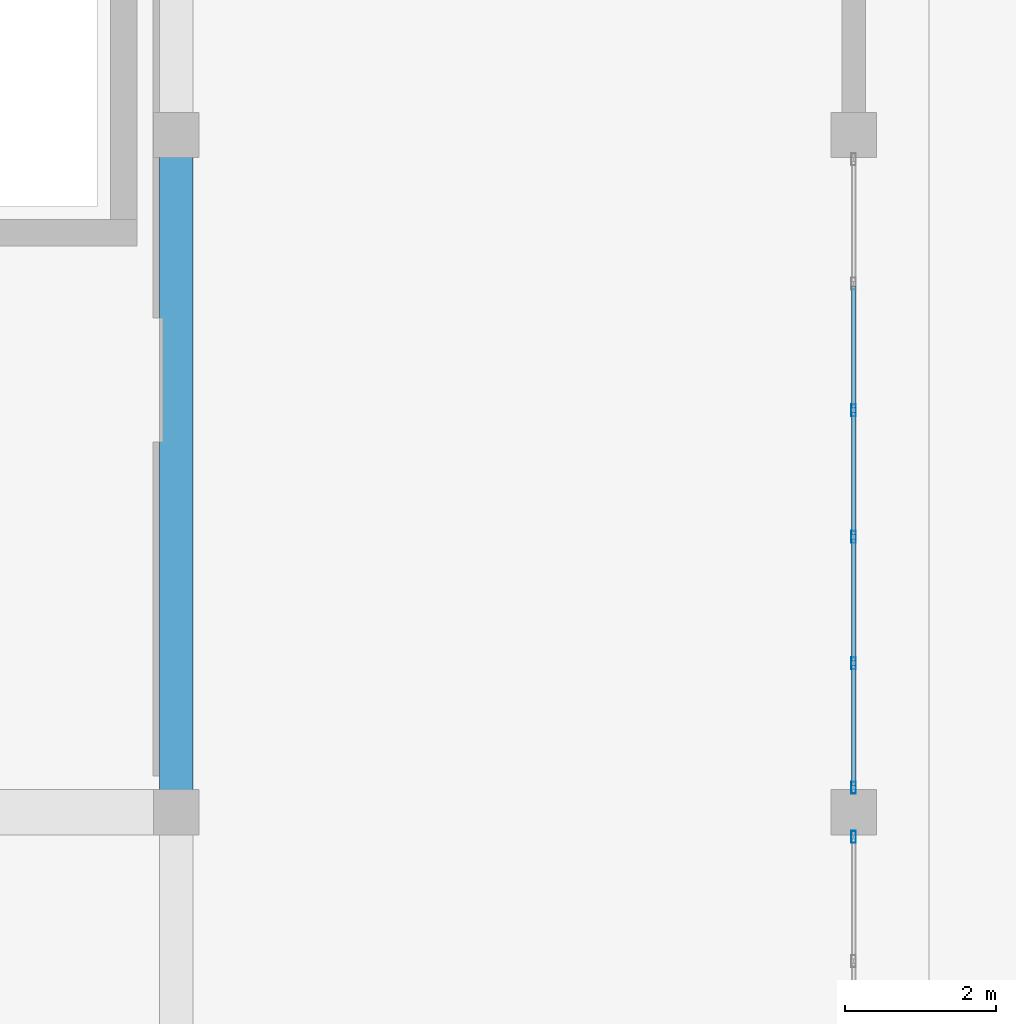
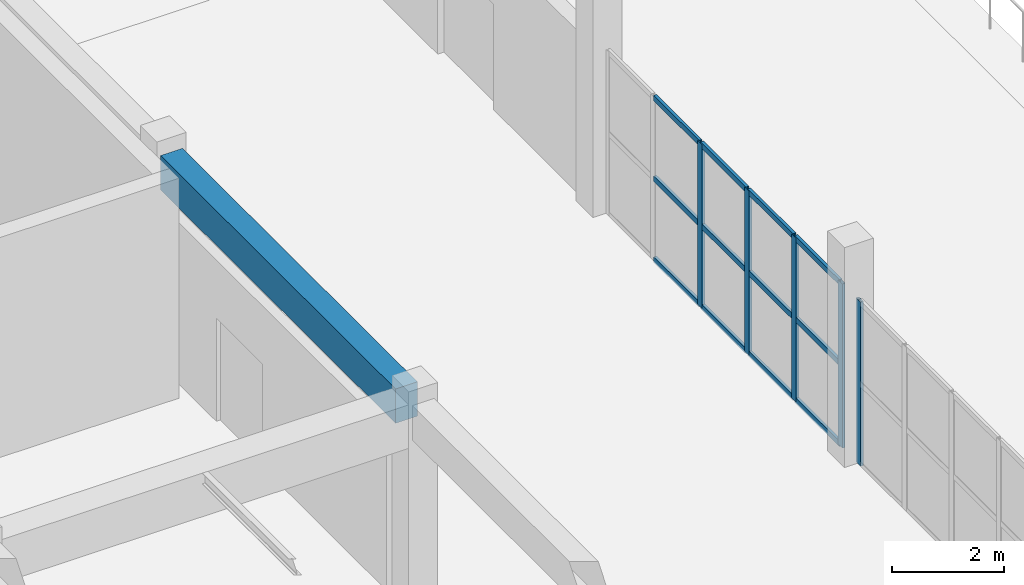
# One storey, part 24 of 89: 17 members, 1 beam, 2 elements without a shape of their own.
"""IFC4 building model written with IfcOpenShell, lengths in metres."""

from ifc_helpers import new_model, si_unit, direction, frame, origin, origin_2d, place, context, subcontext, project, spatial, rectangle, hollow_rectangle, extrude, material, layer, layer_set, material_profile, profile_set, type_object, element, aggregate, save


model = new_model("IFC4")

# Units and contexts
model_context = context("Model", 3, precision=1e-05, world=origin(), true_north=direction((0.0, 1.0)))
body_context = subcontext(model_context, "Body", "Model", "MODEL_VIEW")
ifc_project = project(units=[si_unit("LENGTHUNIT", "METRE"), si_unit("AREAUNIT", "SQUARE_METRE"), si_unit("VOLUMEUNIT", "CUBIC_METRE"), si_unit("PLANEANGLEUNIT", "RADIAN"), si_unit("MASSUNIT", "GRAM", prefix="KILO")], contexts=[model_context])

# Site, building, storey
site_placement = place(None, origin())
site = spatial("IfcSite", under=ifc_project, at=site_placement, CompositionType="ELEMENT")
building_placement = place(site_placement, origin())
building = spatial("IfcBuilding", under=site, at=building_placement, Name="Dornveld Trade and Exhibition Forum", CompositionType="ELEMENT")
storey_placement = place(building_placement, frame((0.0, 0.0, 12.0)))
storey = spatial("IfcBuildingStorey", under=building, at=storey_placement, Name="L02", CompositionType="ELEMENT", Elevation=12.0)

# Beam
ifc_material_1 = material(Name="Precast concrete C50/60", Category="concrete")
ifc_material_profile_1 = material_profile(ifc_material_1, rectangle(XDim=0.449951171875, YDim=0.75, at=origin_2d()), Name="PC-BM 450x750")
ifc_profile_set_1 = profile_set([ifc_material_profile_1], Name="Precast concrete C50/60")
beam_type = type_object("IfcBeamType", Name="BM-PC-450x750", PredefinedType="BEAM", material=ifc_profile_set_1)
beam_placement = place(storey_placement, frame((216.0, 9.2958984375, 4.10302734375), z_axis=(0.0, 1.0, 0.0), x_axis=(-1.0, 0.0, 0.0)))
element("IfcBeam", 1, at=beam_placement, inside=storey, type_object=beam_type, Name="L02 Y-girder 1571", PredefinedType="BEAM", context=body_context, shape_type="SweptSolid", body=[
    extrude(rectangle(XDim=0.449951171875, YDim=0.75, at=origin_2d()), origin(), (0.0, 0.0, 1.0), 8.408203125),
])

# Curtain wall, member
ifc_material_2 = material(Name="Dark-bronze anodised aluminium and low-E glass", Category="aluminium")
ifc_layer_1 = layer(ifc_material_2, 0.154052734375)
ifc_layer_set_1 = layer_set([ifc_layer_1], Name="Dark-bronze anodised aluminium and low-E glass")
curtain_wall_type_1 = type_object("IfcCurtainWallType", Name="CW-SYS-04", PredefinedType="USERDEFINED", material=ifc_layer_set_1)
curtain_wall_1_placement = place(storey_placement, origin())
curtain_wall_1 = element("IfcCurtainWall", 2, at=curtain_wall_1_placement, inside=storey, type_object=curtain_wall_type_1, Name="L02 unitised curtain wall 76", ObjectType="UNITISED_CURTAIN_WALL", PredefinedType="USERDEFINED")
ifc_material_3 = material(Name="Dark-bronze anodised aluminium", Category="aluminium")
ifc_material_profile_2 = material_profile(ifc_material_3, hollow_rectangle(XDim=0.06005859375, YDim=0.159912109375, WallThickness=0.00390625, at=origin_2d()), Name="RHS 160x60x4")
ifc_profile_set_2 = profile_set([ifc_material_profile_2], Name="Dark-bronze anodised aluminium")
member_type_1 = type_object("IfcMemberType", Name="CW-MUL-160", PredefinedType="MULLION", material=ifc_profile_set_2)
member_1_placement = place(storey_placement, frame((225.0, 8.674072265625, -0.00390625), z_axis=(0.0, 0.0, 1.0), x_axis=(-1.0, 0.0, 0.0)))
member_1 = element("IfcMember", 3, at=member_1_placement, type_object=member_type_1, Name="CW-04 mullion 6", PredefinedType="MULLION", context=body_context, shape_type="SweptSolid", body=[
    extrude(hollow_rectangle(XDim=0.06005859375, YDim=0.159912109375, WallThickness=0.00390625, at=origin_2d()), origin(), (0.0, 0.0, 1.0), 3.583984375),
])
aggregate(curtain_wall_1, [member_1])

# Curtain wall, members
ifc_material_4 = material(Name="Dark-bronze anodised aluminium and low-E glass", Category="aluminium")
ifc_layer_2 = layer(ifc_material_4, 0.156982421875)
ifc_layer_set_2 = layer_set([ifc_layer_2], Name="Dark-bronze anodised aluminium and low-E glass")
curtain_wall_type_2 = type_object("IfcCurtainWallType", Name="CW-SYS-05", PredefinedType="USERDEFINED", material=ifc_layer_set_2)
curtain_wall_2_placement = place(storey_placement, origin())
curtain_wall_2 = element("IfcCurtainWall", 4, at=curtain_wall_2_placement, inside=storey, type_object=curtain_wall_type_2, Name="L02 unitised curtain wall 77", ObjectType="UNITISED_CURTAIN_WALL", PredefinedType="USERDEFINED")
member_2_placement = place(storey_placement, frame((225.0, 9.325927734375, -0.00390625), z_axis=(0.0, 0.0, 1.0), x_axis=(-1.0, 0.0, 0.0)))
member_2 = element("IfcMember", 5, at=member_2_placement, type_object=member_type_1, Name="CW-05 mullion 1", PredefinedType="MULLION", context=body_context, shape_type="SweptSolid", body=[
    extrude(hollow_rectangle(XDim=0.06005859375, YDim=0.159912109375, WallThickness=0.00390625, at=origin_2d()), origin(), (0.0, 0.0, 1.0), 3.583984375),
])
member_3_placement = place(storey_placement, frame((225.0, 10.9775390625, -0.00390625), z_axis=(0.0, 0.0, 1.0), x_axis=(-1.0, 0.0, 0.0)))
member_3 = element("IfcMember", 6, at=member_3_placement, type_object=member_type_1, Name="CW-05 mullion 2", PredefinedType="MULLION", context=body_context, shape_type="SweptSolid", body=[
    extrude(hollow_rectangle(XDim=0.06005859375, YDim=0.159912109375, WallThickness=0.00390625, at=origin_2d()), origin(), (0.0, 0.0, 1.0), 3.583984375),
])
member_4_placement = place(storey_placement, frame((225.0, 12.6591796875, -0.00390625), z_axis=(0.0, 0.0, 1.0), x_axis=(-1.0, 0.0, 0.0)))
member_4 = element("IfcMember", 7, at=member_4_placement, type_object=member_type_1, Name="CW-05 mullion 3", PredefinedType="MULLION", context=body_context, shape_type="SweptSolid", body=[
    extrude(hollow_rectangle(XDim=0.06005859375, YDim=0.159912109375, WallThickness=0.00390625, at=origin_2d()), origin(), (0.0, 0.0, 1.0), 3.583984375),
])
member_5_placement = place(storey_placement, frame((225.0, 14.3408203125, -0.00390625), z_axis=(0.0, 0.0, 1.0), x_axis=(-1.0, 0.0, 0.0)))
member_5 = element("IfcMember", 8, at=member_5_placement, type_object=member_type_1, Name="CW-05 mullion 4", PredefinedType="MULLION", context=body_context, shape_type="SweptSolid", body=[
    extrude(hollow_rectangle(XDim=0.06005859375, YDim=0.159912109375, WallThickness=0.00390625, at=origin_2d()), origin(), (0.0, 0.0, 1.0), 3.583984375),
])
ifc_material_5 = material(Name="Dark-bronze anodised aluminium", Category="aluminium")
ifc_material_profile_3 = material_profile(ifc_material_5, hollow_rectangle(XDim=0.06005859375, YDim=0.1201171875, WallThickness=0.00390625, at=origin_2d()), Name="RHS 120x60x4")
ifc_profile_set_3 = profile_set([ifc_material_profile_3], Name="Dark-bronze anodised aluminium")
member_type_2 = type_object("IfcMemberType", Name="CW-TRN-120", PredefinedType="USERDEFINED", material=ifc_profile_set_3)
member_6_placement = place(storey_placement, frame((225.0, 9.35595703125, 0.02587890625), z_axis=(0.0, 1.0, 0.0), x_axis=(-1.0, 0.0, 0.0)))
member_6 = element("IfcMember", 9, at=member_6_placement, type_object=member_type_2, Name="CW-05 transom 1.1", ObjectType="TRANSOM", PredefinedType="USERDEFINED", context=body_context, shape_type="SweptSolid", body=[
    extrude(hollow_rectangle(XDim=0.06005859375, YDim=0.1201171875, WallThickness=0.00390625, at=origin_2d()), origin(), (0.0, 0.0, 1.0), 1.591552734375),
])
member_7_placement = place(storey_placement, frame((225.0, 9.35595703125, 1.7880859375), z_axis=(0.0, 1.0, 0.0), x_axis=(-1.0, 0.0, 0.0)))
member_7 = element("IfcMember", 10, at=member_7_placement, type_object=member_type_2, Name="CW-05 transom 1.2", ObjectType="TRANSOM", PredefinedType="USERDEFINED", context=body_context, shape_type="SweptSolid", body=[
    extrude(hollow_rectangle(XDim=0.06005859375, YDim=0.1201171875, WallThickness=0.00390625, at=origin_2d()), origin(), (0.0, 0.0, 1.0), 1.591552734375),
])
member_8_placement = place(storey_placement, frame((225.0, 9.35595703125, 3.550048828125), z_axis=(0.0, 1.0, 0.0), x_axis=(-1.0, 0.0, 0.0)))
member_8 = element("IfcMember", 11, at=member_8_placement, type_object=member_type_2, Name="CW-05 transom 1.3", ObjectType="TRANSOM", PredefinedType="USERDEFINED", context=body_context, shape_type="SweptSolid", body=[
    extrude(hollow_rectangle(XDim=0.06005859375, YDim=0.1201171875, WallThickness=0.00390625, at=origin_2d()), origin(), (0.0, 0.0, 1.0), 1.591552734375),
])
member_9_placement = place(storey_placement, frame((225.0, 11.007568359375, 0.02587890625), z_axis=(0.0, 1.0, 0.0), x_axis=(-1.0, 0.0, 0.0)))
member_9 = element("IfcMember", 12, at=member_9_placement, type_object=member_type_2, Name="CW-05 transom 2.1", ObjectType="TRANSOM", PredefinedType="USERDEFINED", context=body_context, shape_type="SweptSolid", body=[
    extrude(hollow_rectangle(XDim=0.06005859375, YDim=0.1201171875, WallThickness=0.00390625, at=origin_2d()), origin(), (0.0, 0.0, 1.0), 1.62158203125),
])
member_10_placement = place(storey_placement, frame((225.0, 11.007568359375, 1.7880859375), z_axis=(0.0, 1.0, 0.0), x_axis=(-1.0, 0.0, 0.0)))
member_10 = element("IfcMember", 13, at=member_10_placement, type_object=member_type_2, Name="CW-05 transom 2.2", ObjectType="TRANSOM", PredefinedType="USERDEFINED", context=body_context, shape_type="SweptSolid", body=[
    extrude(hollow_rectangle(XDim=0.06005859375, YDim=0.1201171875, WallThickness=0.00390625, at=origin_2d()), origin(), (0.0, 0.0, 1.0), 1.62158203125),
])
member_11_placement = place(storey_placement, frame((225.0, 11.007568359375, 3.550048828125), z_axis=(0.0, 1.0, 0.0), x_axis=(-1.0, 0.0, 0.0)))
member_11 = element("IfcMember", 14, at=member_11_placement, type_object=member_type_2, Name="CW-05 transom 2.3", ObjectType="TRANSOM", PredefinedType="USERDEFINED", context=body_context, shape_type="SweptSolid", body=[
    extrude(hollow_rectangle(XDim=0.06005859375, YDim=0.1201171875, WallThickness=0.00390625, at=origin_2d()), origin(), (0.0, 0.0, 1.0), 1.62158203125),
])
member_12_placement = place(storey_placement, frame((225.0, 12.689208984375, 0.02587890625), z_axis=(0.0, 1.0, 0.0), x_axis=(-1.0, 0.0, 0.0)))
member_12 = element("IfcMember", 15, at=member_12_placement, type_object=member_type_2, Name="CW-05 transom 3.1", ObjectType="TRANSOM", PredefinedType="USERDEFINED", context=body_context, shape_type="SweptSolid", body=[
    extrude(hollow_rectangle(XDim=0.06005859375, YDim=0.1201171875, WallThickness=0.00390625, at=origin_2d()), origin(), (0.0, 0.0, 1.0), 1.62158203125),
])
member_13_placement = place(storey_placement, frame((225.0, 12.689208984375, 1.7880859375), z_axis=(0.0, 1.0, 0.0), x_axis=(-1.0, 0.0, 0.0)))
member_13 = element("IfcMember", 16, at=member_13_placement, type_object=member_type_2, Name="CW-05 transom 3.2", ObjectType="TRANSOM", PredefinedType="USERDEFINED", context=body_context, shape_type="SweptSolid", body=[
    extrude(hollow_rectangle(XDim=0.06005859375, YDim=0.1201171875, WallThickness=0.00390625, at=origin_2d()), origin(), (0.0, 0.0, 1.0), 1.62158203125),
])
member_14_placement = place(storey_placement, frame((225.0, 12.689208984375, 3.550048828125), z_axis=(0.0, 1.0, 0.0), x_axis=(-1.0, 0.0, 0.0)))
member_14 = element("IfcMember", 17, at=member_14_placement, type_object=member_type_2, Name="CW-05 transom 3.3", ObjectType="TRANSOM", PredefinedType="USERDEFINED", context=body_context, shape_type="SweptSolid", body=[
    extrude(hollow_rectangle(XDim=0.06005859375, YDim=0.1201171875, WallThickness=0.00390625, at=origin_2d()), origin(), (0.0, 0.0, 1.0), 1.62158203125),
])
member_15_placement = place(storey_placement, frame((225.0, 14.370849609375, 0.02587890625), z_axis=(0.0, 1.0, 0.0), x_axis=(-1.0, 0.0, 0.0)))
member_15 = element("IfcMember", 18, at=member_15_placement, type_object=member_type_2, Name="CW-05 transom 4.1", ObjectType="TRANSOM", PredefinedType="USERDEFINED", context=body_context, shape_type="SweptSolid", body=[
    extrude(hollow_rectangle(XDim=0.06005859375, YDim=0.1201171875, WallThickness=0.00390625, at=origin_2d()), origin(), (0.0, 0.0, 1.0), 1.62158203125),
])
member_16_placement = place(storey_placement, frame((225.0, 14.370849609375, 1.7880859375), z_axis=(0.0, 1.0, 0.0), x_axis=(-1.0, 0.0, 0.0)))
member_16 = element("IfcMember", 19, at=member_16_placement, type_object=member_type_2, Name="CW-05 transom 4.2", ObjectType="TRANSOM", PredefinedType="USERDEFINED", context=body_context, shape_type="SweptSolid", body=[
    extrude(hollow_rectangle(XDim=0.06005859375, YDim=0.1201171875, WallThickness=0.00390625, at=origin_2d()), origin(), (0.0, 0.0, 1.0), 1.62158203125),
])
member_17_placement = place(storey_placement, frame((225.0, 14.370849609375, 3.550048828125), z_axis=(0.0, 1.0, 0.0), x_axis=(-1.0, 0.0, 0.0)))
member_17 = element("IfcMember", 20, at=member_17_placement, type_object=member_type_2, Name="CW-05 transom 4.3", ObjectType="TRANSOM", PredefinedType="USERDEFINED", context=body_context, shape_type="SweptSolid", body=[
    extrude(hollow_rectangle(XDim=0.06005859375, YDim=0.1201171875, WallThickness=0.00390625, at=origin_2d()), origin(), (0.0, 0.0, 1.0), 1.62158203125),
])
aggregate(curtain_wall_2, [member_2, member_3, member_4, member_5, member_6, member_7, member_8, member_9, member_10, member_11, member_12, member_13, member_14, member_15, member_16, member_17])

save(model, "model.ifc")
